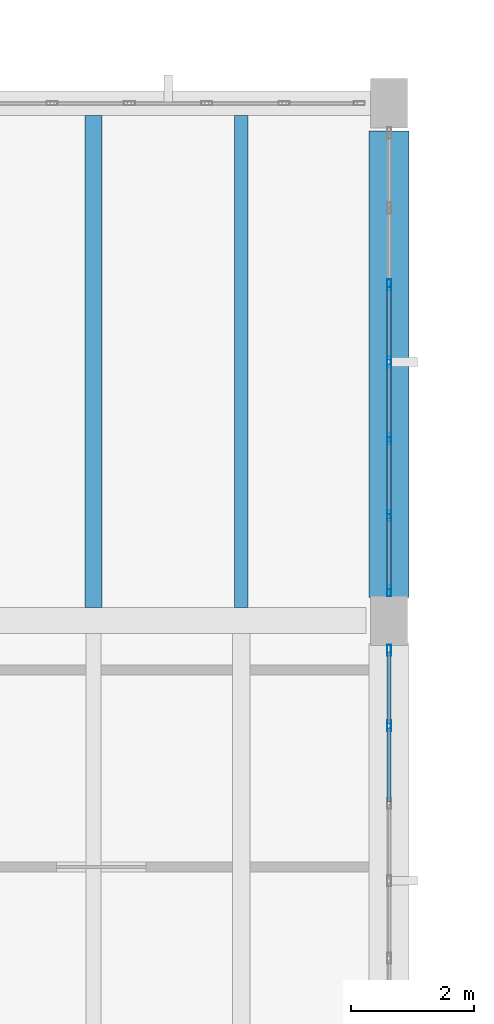
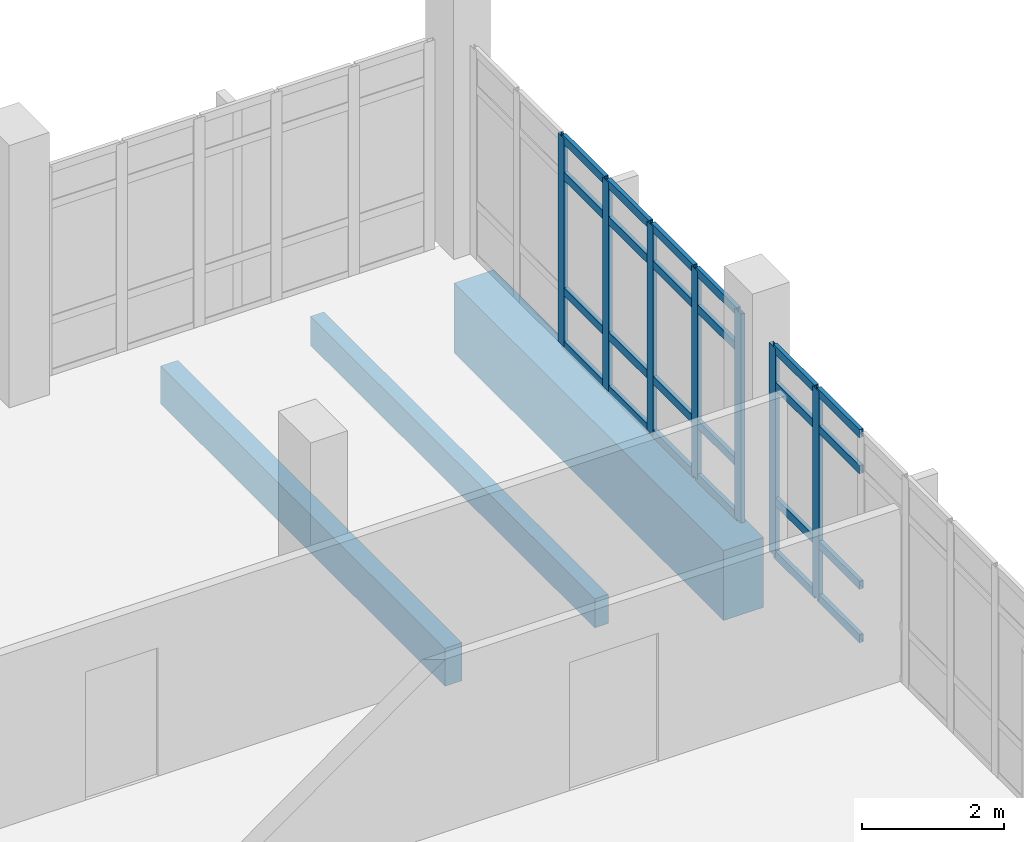
# One storey, part 77 of 134: 31 members, 3 beams, 2 elements without a shape of their own.
"""IFC4 building model written with IfcOpenShell, lengths in metres."""

from ifc_helpers import new_model, si_unit, direction, frame, origin, origin_2d, place, context, subcontext, project, spatial, rectangle, hollow_rectangle, extrude, material, material_profile, profile_set, type_object, element, aggregate, save


model = new_model("IFC4")

# Units and contexts
model_context = context("Model", 3, precision=1e-05, world=origin(), true_north=direction((0.0, 1.0)))
body_context = subcontext(model_context, "Body", "Model", "MODEL_VIEW")
ifc_project = project(units=[si_unit("LENGTHUNIT", "METRE"), si_unit("AREAUNIT", "SQUARE_METRE"), si_unit("VOLUMEUNIT", "CUBIC_METRE"), si_unit("PLANEANGLEUNIT", "RADIAN"), si_unit("MASSUNIT", "GRAM", prefix="KILO")], contexts=[model_context])

# Site, building, storey
site_placement = place(None, origin())
site = spatial("IfcSite", under=ifc_project, at=site_placement, CompositionType="ELEMENT")
building_placement = place(site_placement, origin())
building = spatial("IfcBuilding", under=site, at=building_placement, Name="Kalluvel Institute of Natural Sciences", CompositionType="ELEMENT")
storey_placement = place(building_placement, frame((0.0, 0.0, 5.39990234375)))
storey = spatial("IfcBuildingStorey", under=building, at=storey_placement, Name="L01", CompositionType="ELEMENT", Elevation=5.39990234375)

# Beam
ifc_material_1 = material(Name="Concrete M50", Category="concrete")
ifc_material_profile_1 = material_profile(ifc_material_1, rectangle(XDim=0.64990234375, YDim=1.199951171875, at=origin_2d()), Name="RCB 650x1200")
ifc_profile_set_1 = profile_set([ifc_material_profile_1], Name="Concrete M50")
beam_type_1 = type_object("IfcBeamType", Name="BM-RC650x1200", PredefinedType="BEAM", material=ifc_profile_set_1)
beam_1_placement = place(storey_placement, frame((114.800048828125, 119.97509765625, -0.9599609375), z_axis=(0.0, 1.0, 0.0), x_axis=(-1.0, 0.0, 0.0)))
element("IfcBeam", 1, at=beam_1_placement, inside=storey, type_object=beam_type_1, Name="L01 girder GIR-L01-NS-X1148-Y1196", PredefinedType="BEAM", context=body_context, shape_type="SweptSolid", body=[
    extrude(rectangle(XDim=0.64990234375, YDim=1.199951171875, at=origin_2d()), origin(), (0.0, 0.0, 1.0), 7.574951171875),
])

# Curtain wall, members
ifc_material_2 = material(Name="Aluminium AW-6063 T6", Category="aluminium")
curtain_wall_type = type_object("IfcCurtainWallType", Name="CW-WET-45", PredefinedType="USERDEFINED", material=ifc_material_2)
curtain_wall_1_placement = place(storey_placement, origin())
curtain_wall_1 = element("IfcCurtainWall", 2, at=curtain_wall_1_placement, inside=storey, type_object=curtain_wall_type, Name="L01 Gothic lancet curtain wall CWA-L01-X1148-Y1116", ObjectType="UNITISED LANCET FACADE", PredefinedType="USERDEFINED")
ifc_material_profile_2 = material_profile(ifc_material_2, hollow_rectangle(XDim=0.06494140625, YDim=0.179931640625, WallThickness=0.00439453125, at=origin_2d()), Name="CWM 65x180")
ifc_profile_set_2 = profile_set([ifc_material_profile_2], Name="Aluminium AW-6063 T6")
member_type_1 = type_object("IfcMemberType", Name="CWM-65x180", PredefinedType="MULLION", material=ifc_profile_set_2)
member_1_placement = place(storey_placement, frame((114.800048828125, 117.8916015625, 0.0), z_axis=(0.0, 0.0, 1.0), x_axis=(-1.0, 0.0, 0.0)))
member_1 = element("IfcMember", 3, at=member_1_placement, type_object=member_type_1, Name="CW-01 mullion 6", PredefinedType="MULLION", context=body_context, shape_type="SweptSolid", body=[
    extrude(hollow_rectangle(XDim=0.06494140625, YDim=0.179931640625, WallThickness=0.00439453125, at=origin_2d()), origin(), (0.0, 0.0, 1.0), 3.580078125),
])
member_2_placement = place(storey_placement, frame((114.800048828125, 119.117431640625, 0.0), z_axis=(0.0, 0.0, 1.0), x_axis=(-1.0, 0.0, 0.0)))
member_2 = element("IfcMember", 4, at=member_2_placement, type_object=member_type_1, Name="CW-01 mullion 7", PredefinedType="MULLION", context=body_context, shape_type="SweptSolid", body=[
    extrude(hollow_rectangle(XDim=0.06494140625, YDim=0.179931640625, WallThickness=0.00439453125, at=origin_2d()), origin(), (0.0, 0.0, 1.0), 3.580078125),
])

curtain_wall_2_placement = place(storey_placement, origin())
curtain_wall_2 = element("IfcCurtainWall", 5, at=curtain_wall_2_placement, inside=storey, type_object=curtain_wall_type, Name="L01 Gothic lancet curtain wall CWA-L01-X1148-Y1200", ObjectType="UNITISED LANCET FACADE", PredefinedType="USERDEFINED")
member_3_placement = place(storey_placement, frame((114.800048828125, 120.08251953125, 0.0), z_axis=(0.0, 0.0, 1.0), x_axis=(-1.0, 0.0, 0.0)))
member_3 = element("IfcMember", 6, at=member_3_placement, type_object=member_type_1, Name="CW-01 mullion 1", PredefinedType="MULLION", context=body_context, shape_type="SweptSolid", body=[
    extrude(hollow_rectangle(XDim=0.06494140625, YDim=0.179931640625, WallThickness=0.00439453125, at=origin_2d()), origin(), (0.0, 0.0, 1.0), 3.580078125),
])
member_4_placement = place(storey_placement, frame((114.800048828125, 121.300048828125, 0.0), z_axis=(0.0, 0.0, 1.0), x_axis=(-1.0, 0.0, 0.0)))
member_4 = element("IfcMember", 7, at=member_4_placement, type_object=member_type_1, Name="CW-01 mullion 2", PredefinedType="MULLION", context=body_context, shape_type="SweptSolid", body=[
    extrude(hollow_rectangle(XDim=0.06494140625, YDim=0.179931640625, WallThickness=0.00439453125, at=origin_2d()), origin(), (0.0, 0.0, 1.0), 3.580078125),
])
member_5_placement = place(storey_placement, frame((114.800048828125, 122.550048828125, 0.0), z_axis=(0.0, 0.0, 1.0), x_axis=(-1.0, 0.0, 0.0)))
member_5 = element("IfcMember", 8, at=member_5_placement, type_object=member_type_1, Name="CW-01 mullion 3", PredefinedType="MULLION", context=body_context, shape_type="SweptSolid", body=[
    extrude(hollow_rectangle(XDim=0.06494140625, YDim=0.179931640625, WallThickness=0.00439453125, at=origin_2d()), origin(), (0.0, 0.0, 1.0), 3.580078125),
])
member_6_placement = place(storey_placement, frame((114.800048828125, 123.800048828125, 0.0), z_axis=(0.0, 0.0, 1.0), x_axis=(-1.0, 0.0, 0.0)))
member_6 = element("IfcMember", 9, at=member_6_placement, type_object=member_type_1, Name="CW-01 mullion 4", PredefinedType="MULLION", context=body_context, shape_type="SweptSolid", body=[
    extrude(hollow_rectangle(XDim=0.06494140625, YDim=0.179931640625, WallThickness=0.00439453125, at=origin_2d()), origin(), (0.0, 0.0, 1.0), 3.580078125),
])
member_7_placement = place(storey_placement, frame((114.800048828125, 125.050048828125, 0.0), z_axis=(0.0, 0.0, 1.0), x_axis=(-1.0, 0.0, 0.0)))
member_7 = element("IfcMember", 10, at=member_7_placement, type_object=member_type_1, Name="CW-01 mullion 5", PredefinedType="MULLION", context=body_context, shape_type="SweptSolid", body=[
    extrude(hollow_rectangle(XDim=0.06494140625, YDim=0.179931640625, WallThickness=0.00439453125, at=origin_2d()), origin(), (0.0, 0.0, 1.0), 3.580078125),
])

# Member
ifc_material_profile_3 = material_profile(ifc_material_2, hollow_rectangle(XDim=0.06494140625, YDim=0.139892578125, WallThickness=0.00439453125, at=origin_2d()), Name="CWT 65x140")
ifc_profile_set_3 = profile_set([ifc_material_profile_3], Name="Aluminium AW-6063 T6")
member_type_2 = type_object("IfcMemberType", Name="CWT-65x140", PredefinedType="USERDEFINED", material=ifc_profile_set_3)
member_8_placement = place(storey_placement, frame((114.800048828125, 116.665771484375, 0.03271484375), z_axis=(0.0, 1.0, 0.0), x_axis=(-1.0, 0.0, 0.0)))
member_8 = element("IfcMember", 11, at=member_8_placement, type_object=member_type_2, Name="CW-01 transom 5.1", ObjectType="TRANSOM", PredefinedType="USERDEFINED", context=body_context, shape_type="SweptSolid", body=[
    extrude(hollow_rectangle(XDim=0.06494140625, YDim=0.139892578125, WallThickness=0.00439453125, at=origin_2d()), origin(), (0.0, 0.0, 1.0), 1.193359375),
])

member_9_placement = place(storey_placement, frame((114.800048828125, 116.665771484375, 0.9501953125), z_axis=(0.0, 1.0, 0.0), x_axis=(-1.0, 0.0, 0.0)))
member_9 = element("IfcMember", 12, at=member_9_placement, type_object=member_type_2, Name="CW-01 transom 5.2", ObjectType="TRANSOM", PredefinedType="USERDEFINED", context=body_context, shape_type="SweptSolid", body=[
    extrude(hollow_rectangle(XDim=0.06494140625, YDim=0.139892578125, WallThickness=0.00439453125, at=origin_2d()), origin(), (0.0, 0.0, 1.0), 1.193359375),
])

member_10_placement = place(storey_placement, frame((114.800048828125, 116.665771484375, 2.93017578125), z_axis=(0.0, 1.0, 0.0), x_axis=(-1.0, 0.0, 0.0)))
member_10 = element("IfcMember", 13, at=member_10_placement, type_object=member_type_2, Name="CW-01 transom 5.3", ObjectType="TRANSOM", PredefinedType="USERDEFINED", context=body_context, shape_type="SweptSolid", body=[
    extrude(hollow_rectangle(XDim=0.06494140625, YDim=0.139892578125, WallThickness=0.00439453125, at=origin_2d()), origin(), (0.0, 0.0, 1.0), 1.193359375),
])

member_11_placement = place(storey_placement, frame((114.800048828125, 116.665771484375, 3.547607421875), z_axis=(0.0, 1.0, 0.0), x_axis=(-1.0, 0.0, 0.0)))
member_11 = element("IfcMember", 14, at=member_11_placement, type_object=member_type_2, Name="CW-01 transom 5.4", ObjectType="TRANSOM", PredefinedType="USERDEFINED", context=body_context, shape_type="SweptSolid", body=[
    extrude(hollow_rectangle(XDim=0.06494140625, YDim=0.139892578125, WallThickness=0.00439453125, at=origin_2d()), origin(), (0.0, 0.0, 1.0), 1.193359375),
])

member_12_placement = place(storey_placement, frame((114.800048828125, 117.924072265625, 0.03271484375), z_axis=(0.0, 1.0, 0.0), x_axis=(-1.0, 0.0, 0.0)))
member_12 = element("IfcMember", 15, at=member_12_placement, type_object=member_type_2, Name="CW-01 transom 6.1", ObjectType="TRANSOM", PredefinedType="USERDEFINED", context=body_context, shape_type="SweptSolid", body=[
    extrude(hollow_rectangle(XDim=0.06494140625, YDim=0.139892578125, WallThickness=0.00439453125, at=origin_2d()), origin(), (0.0, 0.0, 1.0), 1.160888671875),
])

member_13_placement = place(storey_placement, frame((114.800048828125, 117.924072265625, 0.9501953125), z_axis=(0.0, 1.0, 0.0), x_axis=(-1.0, 0.0, 0.0)))
member_13 = element("IfcMember", 16, at=member_13_placement, type_object=member_type_2, Name="CW-01 transom 6.2", ObjectType="TRANSOM", PredefinedType="USERDEFINED", context=body_context, shape_type="SweptSolid", body=[
    extrude(hollow_rectangle(XDim=0.06494140625, YDim=0.139892578125, WallThickness=0.00439453125, at=origin_2d()), origin(), (0.0, 0.0, 1.0), 1.160888671875),
])

member_14_placement = place(storey_placement, frame((114.800048828125, 117.924072265625, 2.93017578125), z_axis=(0.0, 1.0, 0.0), x_axis=(-1.0, 0.0, 0.0)))
member_14 = element("IfcMember", 17, at=member_14_placement, type_object=member_type_2, Name="CW-01 transom 6.3", ObjectType="TRANSOM", PredefinedType="USERDEFINED", context=body_context, shape_type="SweptSolid", body=[
    extrude(hollow_rectangle(XDim=0.06494140625, YDim=0.139892578125, WallThickness=0.00439453125, at=origin_2d()), origin(), (0.0, 0.0, 1.0), 1.160888671875),
])

member_15_placement = place(storey_placement, frame((114.800048828125, 117.924072265625, 3.547607421875), z_axis=(0.0, 1.0, 0.0), x_axis=(-1.0, 0.0, 0.0)))
member_15 = element("IfcMember", 18, at=member_15_placement, type_object=member_type_2, Name="CW-01 transom 6.4", ObjectType="TRANSOM", PredefinedType="USERDEFINED", context=body_context, shape_type="SweptSolid", body=[
    extrude(hollow_rectangle(XDim=0.06494140625, YDim=0.139892578125, WallThickness=0.00439453125, at=origin_2d()), origin(), (0.0, 0.0, 1.0), 1.160888671875),
])

aggregate(curtain_wall_1, [member_1, member_2, member_8, member_9, member_10, member_11, member_12, member_13, member_14, member_15])

member_16_placement = place(storey_placement, frame((114.800048828125, 120.114990234375, 0.03271484375), z_axis=(0.0, 1.0, 0.0), x_axis=(-1.0, 0.0, 0.0)))
member_16 = element("IfcMember", 19, at=member_16_placement, type_object=member_type_2, Name="CW-01 transom 1.1", ObjectType="TRANSOM", PredefinedType="USERDEFINED", context=body_context, shape_type="SweptSolid", body=[
    extrude(hollow_rectangle(XDim=0.06494140625, YDim=0.139892578125, WallThickness=0.00439453125, at=origin_2d()), origin(), (0.0, 0.0, 1.0), 1.152587890625),
])

member_17_placement = place(storey_placement, frame((114.800048828125, 120.114990234375, 0.9501953125), z_axis=(0.0, 1.0, 0.0), x_axis=(-1.0, 0.0, 0.0)))
member_17 = element("IfcMember", 20, at=member_17_placement, type_object=member_type_2, Name="CW-01 transom 1.2", ObjectType="TRANSOM", PredefinedType="USERDEFINED", context=body_context, shape_type="SweptSolid", body=[
    extrude(hollow_rectangle(XDim=0.06494140625, YDim=0.139892578125, WallThickness=0.00439453125, at=origin_2d()), origin(), (0.0, 0.0, 1.0), 1.152587890625),
])

member_18_placement = place(storey_placement, frame((114.800048828125, 120.114990234375, 2.93017578125), z_axis=(0.0, 1.0, 0.0), x_axis=(-1.0, 0.0, 0.0)))
member_18 = element("IfcMember", 21, at=member_18_placement, type_object=member_type_2, Name="CW-01 transom 1.3", ObjectType="TRANSOM", PredefinedType="USERDEFINED", context=body_context, shape_type="SweptSolid", body=[
    extrude(hollow_rectangle(XDim=0.06494140625, YDim=0.139892578125, WallThickness=0.00439453125, at=origin_2d()), origin(), (0.0, 0.0, 1.0), 1.152587890625),
])

member_19_placement = place(storey_placement, frame((114.800048828125, 120.114990234375, 3.547607421875), z_axis=(0.0, 1.0, 0.0), x_axis=(-1.0, 0.0, 0.0)))
member_19 = element("IfcMember", 22, at=member_19_placement, type_object=member_type_2, Name="CW-01 transom 1.4", ObjectType="TRANSOM", PredefinedType="USERDEFINED", context=body_context, shape_type="SweptSolid", body=[
    extrude(hollow_rectangle(XDim=0.06494140625, YDim=0.139892578125, WallThickness=0.00439453125, at=origin_2d()), origin(), (0.0, 0.0, 1.0), 1.152587890625),
])

member_20_placement = place(storey_placement, frame((114.800048828125, 121.33251953125, 0.03271484375), z_axis=(0.0, 1.0, 0.0), x_axis=(-1.0, 0.0, 0.0)))
member_20 = element("IfcMember", 23, at=member_20_placement, type_object=member_type_2, Name="CW-01 transom 2.1", ObjectType="TRANSOM", PredefinedType="USERDEFINED", context=body_context, shape_type="SweptSolid", body=[
    extrude(hollow_rectangle(XDim=0.06494140625, YDim=0.139892578125, WallThickness=0.00439453125, at=origin_2d()), origin(), (0.0, 0.0, 1.0), 1.18505859375),
])

member_21_placement = place(storey_placement, frame((114.800048828125, 121.33251953125, 0.9501953125), z_axis=(0.0, 1.0, 0.0), x_axis=(-1.0, 0.0, 0.0)))
member_21 = element("IfcMember", 24, at=member_21_placement, type_object=member_type_2, Name="CW-01 transom 2.2", ObjectType="TRANSOM", PredefinedType="USERDEFINED", context=body_context, shape_type="SweptSolid", body=[
    extrude(hollow_rectangle(XDim=0.06494140625, YDim=0.139892578125, WallThickness=0.00439453125, at=origin_2d()), origin(), (0.0, 0.0, 1.0), 1.18505859375),
])

member_22_placement = place(storey_placement, frame((114.800048828125, 121.33251953125, 2.93017578125), z_axis=(0.0, 1.0, 0.0), x_axis=(-1.0, 0.0, 0.0)))
member_22 = element("IfcMember", 25, at=member_22_placement, type_object=member_type_2, Name="CW-01 transom 2.3", ObjectType="TRANSOM", PredefinedType="USERDEFINED", context=body_context, shape_type="SweptSolid", body=[
    extrude(hollow_rectangle(XDim=0.06494140625, YDim=0.139892578125, WallThickness=0.00439453125, at=origin_2d()), origin(), (0.0, 0.0, 1.0), 1.18505859375),
])

member_23_placement = place(storey_placement, frame((114.800048828125, 121.33251953125, 3.547607421875), z_axis=(0.0, 1.0, 0.0), x_axis=(-1.0, 0.0, 0.0)))
member_23 = element("IfcMember", 26, at=member_23_placement, type_object=member_type_2, Name="CW-01 transom 2.4", ObjectType="TRANSOM", PredefinedType="USERDEFINED", context=body_context, shape_type="SweptSolid", body=[
    extrude(hollow_rectangle(XDim=0.06494140625, YDim=0.139892578125, WallThickness=0.00439453125, at=origin_2d()), origin(), (0.0, 0.0, 1.0), 1.18505859375),
])

member_24_placement = place(storey_placement, frame((114.800048828125, 122.58251953125, 0.03271484375), z_axis=(0.0, 1.0, 0.0), x_axis=(-1.0, 0.0, 0.0)))
member_24 = element("IfcMember", 27, at=member_24_placement, type_object=member_type_2, Name="CW-01 transom 3.1", ObjectType="TRANSOM", PredefinedType="USERDEFINED", context=body_context, shape_type="SweptSolid", body=[
    extrude(hollow_rectangle(XDim=0.06494140625, YDim=0.139892578125, WallThickness=0.00439453125, at=origin_2d()), origin(), (0.0, 0.0, 1.0), 1.18505859375),
])

member_25_placement = place(storey_placement, frame((114.800048828125, 122.58251953125, 0.9501953125), z_axis=(0.0, 1.0, 0.0), x_axis=(-1.0, 0.0, 0.0)))
member_25 = element("IfcMember", 28, at=member_25_placement, type_object=member_type_2, Name="CW-01 transom 3.2", ObjectType="TRANSOM", PredefinedType="USERDEFINED", context=body_context, shape_type="SweptSolid", body=[
    extrude(hollow_rectangle(XDim=0.06494140625, YDim=0.139892578125, WallThickness=0.00439453125, at=origin_2d()), origin(), (0.0, 0.0, 1.0), 1.18505859375),
])

member_26_placement = place(storey_placement, frame((114.800048828125, 122.58251953125, 2.93017578125), z_axis=(0.0, 1.0, 0.0), x_axis=(-1.0, 0.0, 0.0)))
member_26 = element("IfcMember", 29, at=member_26_placement, type_object=member_type_2, Name="CW-01 transom 3.3", ObjectType="TRANSOM", PredefinedType="USERDEFINED", context=body_context, shape_type="SweptSolid", body=[
    extrude(hollow_rectangle(XDim=0.06494140625, YDim=0.139892578125, WallThickness=0.00439453125, at=origin_2d()), origin(), (0.0, 0.0, 1.0), 1.18505859375),
])

member_27_placement = place(storey_placement, frame((114.800048828125, 122.58251953125, 3.547607421875), z_axis=(0.0, 1.0, 0.0), x_axis=(-1.0, 0.0, 0.0)))
member_27 = element("IfcMember", 30, at=member_27_placement, type_object=member_type_2, Name="CW-01 transom 3.4", ObjectType="TRANSOM", PredefinedType="USERDEFINED", context=body_context, shape_type="SweptSolid", body=[
    extrude(hollow_rectangle(XDim=0.06494140625, YDim=0.139892578125, WallThickness=0.00439453125, at=origin_2d()), origin(), (0.0, 0.0, 1.0), 1.18505859375),
])

member_28_placement = place(storey_placement, frame((114.800048828125, 123.83251953125, 0.03271484375), z_axis=(0.0, 1.0, 0.0), x_axis=(-1.0, 0.0, 0.0)))
member_28 = element("IfcMember", 31, at=member_28_placement, type_object=member_type_2, Name="CW-01 transom 4.1", ObjectType="TRANSOM", PredefinedType="USERDEFINED", context=body_context, shape_type="SweptSolid", body=[
    extrude(hollow_rectangle(XDim=0.06494140625, YDim=0.139892578125, WallThickness=0.00439453125, at=origin_2d()), origin(), (0.0, 0.0, 1.0), 1.18505859375),
])

member_29_placement = place(storey_placement, frame((114.800048828125, 123.83251953125, 0.9501953125), z_axis=(0.0, 1.0, 0.0), x_axis=(-1.0, 0.0, 0.0)))
member_29 = element("IfcMember", 32, at=member_29_placement, type_object=member_type_2, Name="CW-01 transom 4.2", ObjectType="TRANSOM", PredefinedType="USERDEFINED", context=body_context, shape_type="SweptSolid", body=[
    extrude(hollow_rectangle(XDim=0.06494140625, YDim=0.139892578125, WallThickness=0.00439453125, at=origin_2d()), origin(), (0.0, 0.0, 1.0), 1.18505859375),
])

member_30_placement = place(storey_placement, frame((114.800048828125, 123.83251953125, 2.93017578125), z_axis=(0.0, 1.0, 0.0), x_axis=(-1.0, 0.0, 0.0)))
member_30 = element("IfcMember", 33, at=member_30_placement, type_object=member_type_2, Name="CW-01 transom 4.3", ObjectType="TRANSOM", PredefinedType="USERDEFINED", context=body_context, shape_type="SweptSolid", body=[
    extrude(hollow_rectangle(XDim=0.06494140625, YDim=0.139892578125, WallThickness=0.00439453125, at=origin_2d()), origin(), (0.0, 0.0, 1.0), 1.18505859375),
])

member_31_placement = place(storey_placement, frame((114.800048828125, 123.83251953125, 3.547607421875), z_axis=(0.0, 1.0, 0.0), x_axis=(-1.0, 0.0, 0.0)))
member_31 = element("IfcMember", 34, at=member_31_placement, type_object=member_type_2, Name="CW-01 transom 4.4", ObjectType="TRANSOM", PredefinedType="USERDEFINED", context=body_context, shape_type="SweptSolid", body=[
    extrude(hollow_rectangle(XDim=0.06494140625, YDim=0.139892578125, WallThickness=0.00439453125, at=origin_2d()), origin(), (0.0, 0.0, 1.0), 1.18505859375),
])

aggregate(curtain_wall_2, [member_3, member_4, member_5, member_6, member_7, member_16, member_17, member_18, member_19, member_20, member_21, member_22, member_23, member_24, member_25, member_26, member_27, member_28, member_29, member_30, member_31])

# Beams
ifc_material_3 = material(Name="Concrete M40", Category="concrete")
ifc_material_profile_4 = material_profile(ifc_material_3, rectangle(XDim=0.219970703125, YDim=0.5, at=origin_2d()), Name="WAF 220x500")
ifc_profile_set_4 = profile_set([ifc_material_profile_4], Name="Concrete M40")
beam_type_2 = type_object("IfcBeamType", Name="WJ-220x500", PredefinedType="JOIST", material=ifc_profile_set_4)
beam_2_placement = place(storey_placement, frame((112.39990234375, 119.81005859375, -0.56982421875), z_axis=(0.0, 1.0, 0.0), x_axis=(-1.0, 0.0, 0.0)))
element("IfcBeam", 35, at=beam_2_placement, inside=storey, type_object=beam_type_2, Name="L01 waffle joist RIB-L01-0142", PredefinedType="JOIST", context=body_context, shape_type="SweptSolid", body=[
    extrude(rectangle(XDim=0.219970703125, YDim=0.5, at=origin_2d()), origin(), (0.0, 0.0, 1.0), 7.989990234375),
])
ifc_material_profile_5 = material_profile(ifc_material_1, rectangle(XDim=0.280029296875, YDim=0.64990234375, at=origin_2d()), Name="WAF 280x650")
ifc_profile_set_5 = profile_set([ifc_material_profile_5], Name="Concrete M50")
beam_type_3 = type_object("IfcBeamType", Name="WJ-280x650", PredefinedType="JOIST", material=ifc_profile_set_5)
beam_3_placement = place(storey_placement, frame((110.0, 119.81005859375, -0.64501953125), z_axis=(0.0, 1.0, 0.0), x_axis=(-1.0, 0.0, 0.0)))
element("IfcBeam", 36, at=beam_3_placement, inside=storey, type_object=beam_type_3, Name="L01 waffle joist RIB-L01-0141", PredefinedType="JOIST", context=body_context, shape_type="SweptSolid", body=[
    extrude(rectangle(XDim=0.280029296875, YDim=0.64990234375, at=origin_2d()), origin(), (0.0, 0.0, 1.0), 7.989990234375),
])

save(model, "model.ifc")
